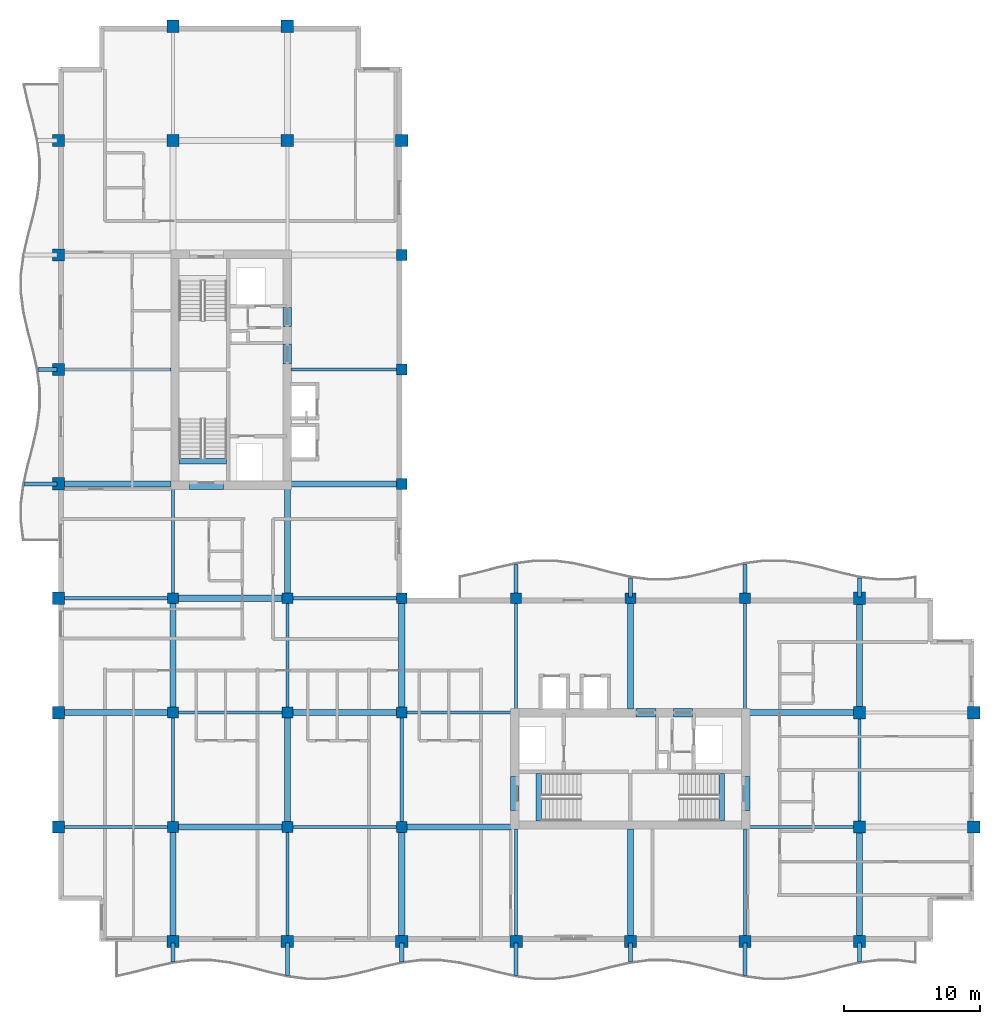
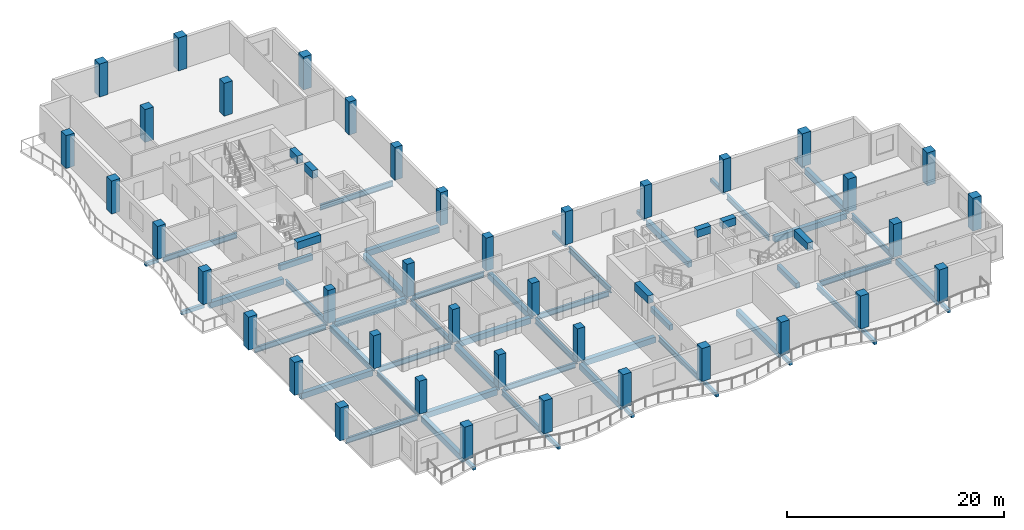
# One storey, part 1 of 12: 60 beams, 39 columns.
"""IFC4 building model written with IfcOpenShell, lengths in metres."""

from ifc_helpers import new_model, si_unit, direction, frame, origin, origin_2d, place, context, subcontext, project, spatial, rectangle, i_section, extrude, material, material_profile, profile_set, type_object, element, save


model = new_model("IFC4")

# Units and contexts
model_context = context("Model", 3, precision=1e-05, world=origin(), true_north=direction((0.0, 1.0)))
body_context = subcontext(model_context, "Body", "Model", "MODEL_VIEW")
ifc_project = project(units=[si_unit("LENGTHUNIT", "METRE"), si_unit("AREAUNIT", "SQUARE_METRE"), si_unit("VOLUMEUNIT", "CUBIC_METRE"), si_unit("PLANEANGLEUNIT", "RADIAN"), si_unit("MASSUNIT", "GRAM", prefix="KILO")], contexts=[model_context])

# Site, building, storey
site_placement = place(None, origin())
site = spatial("IfcSite", under=ifc_project, at=site_placement, CompositionType="ELEMENT")
building_placement = place(site_placement, origin())
building = spatial("IfcBuilding", under=site, at=building_placement, Name="Koriwani Terraces Tower", CompositionType="ELEMENT")
storey_placement = place(building_placement, frame((0.0, 0.0, 249.0)))
storey = spatial("IfcBuildingStorey", under=building, at=storey_placement, Name="L61", CompositionType="ELEMENT", Elevation=249.0)

# Columns
ifc_material_1 = material(Name="Concrete C50/60", Category="concrete")
ifc_material_profile_1 = material_profile(ifc_material_1, rectangle(XDim=0.800048828125, YDim=0.800048828125, at=origin_2d()), Name="Concrete C50/60", Category="LoadBearing")
ifc_profile_set_1 = profile_set([ifc_material_profile_1], Name="Concrete C50/60")
column_type_1 = type_object("IfcColumnType", Name="COL_RC_800X800", PredefinedType="COLUMN", material=ifc_profile_set_1)
for number, where, z_axis, x_axis, name in (
    (1, (16.800048828125, 16.800048828125, 0.0), (0.0, 0.0, 1.0), (1.0, 0.0, 0.0), "L61 Column 3/C"),
    (2, (16.800048828125, 25.199951171875, 0.0), (0.0, 0.0, 1.0), (1.0, 0.0, 0.0), "L61 Column 3/D"),
    (3, (16.800048828125, 33.60009765625, 0.0), (0.0, 0.0, 1.0), (1.0, 0.0, 0.0), "L61 Column 3/E"),
    (4, (25.199951171875, 16.800048828125, 0.0), (0.0, 0.0, 1.0), (1.0, 0.0, 0.0), "L61 Column 4/C"),
    (5, (25.199951171875, 25.199951171875, 0.0), (0.0, 0.0, 1.0), (1.0, 0.0, 0.0), "L61 Column 4/D"),
    (6, (25.199951171875, 33.60009765625, 0.0), (0.0, 0.0, 1.0), (1.0, 0.0, 0.0), "L61 Column 4/E"),
    (7, (33.60009765625, 16.800048828125, 0.0), (0.0, 0.0, 1.0), (1.0, 0.0, 0.0), "L61 Column 5/C"),
    (8, (33.60009765625, 25.199951171875, 0.0), (0.0, 0.0, 1.0), (1.0, 0.0, 0.0), "L61 Column 5/D"),
    (9, (33.60009765625, 33.60009765625, 0.0), (0.0, 0.0, 1.0), (1.0, 0.0, 0.0), "L61 Column 5/E"),
    (10, (33.60009765625, 42.0, 0.0), (0.0, 0.0, 1.0), (1.0, 0.0, 0.0), "L61 Column 5/F"),
    (11, (33.60009765625, 50.39990234375, 0.0), (0.0, 0.0, 1.0), (1.0, 0.0, 0.0), "L61 Column 5/G"),
    (12, (33.60009765625, 58.800048828125, 0.0), (0.0, 0.0, 1.0), (1.0, 0.0, 0.0), "L61 Column 5/H"),
    (13, (42.0, 33.60009765625, 0.0), (0.0, 0.0, 1.0), (1.0, 0.0, 0.0), "L61 Column 6/E"),
    (14, (50.39990234375, 33.60009765625, 0.0), (0.0, 0.0, 1.0), (1.0, 0.0, 0.0), "L61 Column 7/E"),
    (15, (58.800048828125, 33.60009765625, 0.0), (0.0, 0.0, 1.0), (1.0, 0.0, 0.0), "L61 Column 8/E"),
):
    element("IfcColumn", number, at=place(storey_placement, frame(where, z_axis=z_axis, x_axis=x_axis)), inside=storey, type_object=column_type_1, Name=name, PredefinedType="COLUMN", context=body_context, shape_type="SweptSolid", body=[
        extrude(rectangle(XDim=0.800048828125, YDim=0.800048828125, at=origin_2d()), origin(), (0.0, 0.0, 1.0), 3.699951171875),
    ])
ifc_material_profile_2 = material_profile(ifc_material_1, rectangle(XDim=0.89990234375, YDim=0.89990234375, at=origin_2d()), Name="Concrete C50/60", Category="LoadBearing")
ifc_profile_set_2 = profile_set([ifc_material_profile_2], Name="Concrete C50/60")
column_type_2 = type_object("IfcColumnType", Name="COL_RC_900X900", PredefinedType="COLUMN", material=ifc_profile_set_2)
for number, where, z_axis, x_axis, name in (
    (16, (8.39990234375, 16.800048828125, 0.0), (0.0, 0.0, 1.0), (1.0, 0.0, 0.0), "L61 Column 2/C"),
    (17, (8.39990234375, 25.199951171875, 0.0), (0.0, 0.0, 1.0), (1.0, 0.0, 0.0), "L61 Column 2/D"),
    (18, (8.39990234375, 33.60009765625, 0.0), (0.0, 0.0, 1.0), (1.0, 0.0, 0.0), "L61 Column 2/E"),
    (19, (8.39990234375, 42.0, 0.0), (0.0, 0.0, 1.0), (1.0, 0.0, 0.0), "L61 Column 2/F"),
    (20, (8.39990234375, 50.39990234375, 0.0), (0.0, 0.0, 1.0), (1.0, 0.0, 0.0), "L61 Column 2/G"),
    (21, (8.39990234375, 58.800048828125, 0.0), (0.0, 0.0, 1.0), (1.0, 0.0, 0.0), "L61 Column 2/H"),
    (22, (8.39990234375, 67.199951171875, 0.0), (0.0, 0.0, 1.0), (1.0, 0.0, 0.0), "L61 Column 2/I"),
    (23, (16.800048828125, 8.39990234375, 0.0), (0.0, 0.0, 1.0), (1.0, 0.0, 0.0), "L61 Column 3/B"),
    (24, (16.800048828125, 67.199951171875, 0.0), (0.0, 0.0, 1.0), (1.0, 0.0, 0.0), "L61 Column 3/I"),
    (25, (16.800048828125, 75.60009765625, 0.0), (0.0, 0.0, 1.0), (1.0, 0.0, 0.0), "L61 Column 3/J"),
    (26, (25.199951171875, 8.39990234375, 0.0), (0.0, 0.0, 1.0), (1.0, 0.0, 0.0), "L61 Column 4/B"),
    (27, (25.199951171875, 67.199951171875, 0.0), (0.0, 0.0, 1.0), (1.0, 0.0, 0.0), "L61 Column 4/I"),
    (28, (25.199951171875, 75.60009765625, 0.0), (0.0, 0.0, 1.0), (1.0, 0.0, 0.0), "L61 Column 4/J"),
    (29, (33.60009765625, 8.39990234375, 0.0), (0.0, 0.0, 1.0), (1.0, 0.0, 0.0), "L61 Column 5/B"),
    (30, (33.60009765625, 67.199951171875, 0.0), (0.0, 0.0, 1.0), (1.0, 0.0, 0.0), "L61 Column 5/I"),
    (31, (42.0, 8.39990234375, 0.0), (0.0, 0.0, 1.0), (1.0, 0.0, 0.0), "L61 Column 6/B"),
    (32, (50.39990234375, 8.39990234375, 0.0), (0.0, 0.0, 1.0), (1.0, 0.0, 0.0), "L61 Column 7/B"),
    (33, (58.800048828125, 8.39990234375, 0.0), (0.0, 0.0, 1.0), (1.0, 0.0, 0.0), "L61 Column 8/B"),
    (34, (67.199951171875, 8.39990234375, 0.0), (0.0, 0.0, 1.0), (1.0, 0.0, 0.0), "L61 Column 9/B"),
    (35, (67.199951171875, 16.800048828125, 0.0), (0.0, 0.0, 1.0), (1.0, 0.0, 0.0), "L61 Column 9/C"),
    (36, (67.199951171875, 25.199951171875, 0.0), (0.0, 0.0, 1.0), (1.0, 0.0, 0.0), "L61 Column 9/D"),
    (37, (67.199951171875, 33.60009765625, 0.0), (0.0, 0.0, 1.0), (1.0, 0.0, 0.0), "L61 Column 9/E"),
    (38, (75.60009765625, 16.800048828125, 0.0), (0.0, 0.0, 1.0), (1.0, 0.0, 0.0), "L61 Column 10/C"),
    (39, (75.60009765625, 25.199951171875, 0.0), (0.0, 0.0, 1.0), (1.0, 0.0, 0.0), "L61 Column 10/D"),
):
    element("IfcColumn", number, at=place(storey_placement, frame(where, z_axis=z_axis, x_axis=x_axis)), inside=storey, type_object=column_type_2, Name=name, PredefinedType="COLUMN", context=body_context, shape_type="SweptSolid", body=[
        extrude(rectangle(XDim=0.89990234375, YDim=0.89990234375, at=origin_2d()), origin(), (0.0, 0.0, 1.0), 3.699951171875),
    ])

# Beams
ifc_material_2 = material(Name="Concrete C40/50", Category="concrete")
ifc_material_profile_3 = material_profile(ifc_material_2, rectangle(XDim=0.300048828125, YDim=0.39990234375, at=origin_2d()), Name="Concrete C40/50", Category="LoadBearing")
ifc_profile_set_3 = profile_set([ifc_material_profile_3], Name="Concrete C40/50")
beam_type_1 = type_object("IfcBeamType", Name="BEAM_RC_BALCONY_RIB_300X400", PredefinedType="JOIST", material=ifc_profile_set_3)
beam_1_placement = place(storey_placement, frame((16.800048828125, 6.912109375, -0.429931640625), z_axis=(0.0, 1.0, 0.0), x_axis=(-1.0, 0.0, 0.0)))
element("IfcBeam", 40, at=beam_1_placement, inside=storey, type_object=beam_type_1, Name="L61 Balcony Bracket Rib S-1", PredefinedType="JOIST", context=body_context, shape_type="SweptSolid", body=[
    extrude(rectangle(XDim=0.300048828125, YDim=0.39990234375, at=origin_2d()), origin(), (0.0, 0.0, 1.0), 1.387939453125),
])
beam_2_placement = place(storey_placement, frame((25.199951171875, 5.907958984375, -0.429931640625), z_axis=(0.0, 1.0, 0.0), x_axis=(-1.0, 0.0, 0.0)))
element("IfcBeam", 41, at=beam_2_placement, inside=storey, type_object=beam_type_1, Name="L61 Balcony Bracket Rib S-2", PredefinedType="JOIST", context=body_context, shape_type="SweptSolid", body=[
    extrude(rectangle(XDim=0.300048828125, YDim=0.39990234375, at=origin_2d()), origin(), (0.0, 0.0, 1.0), 2.39208984375),
])
beam_3_placement = place(storey_placement, frame((33.60009765625, 6.912109375, -0.429931640625), z_axis=(0.0, 1.0, 0.0), x_axis=(-1.0, 0.0, 0.0)))
element("IfcBeam", 42, at=beam_3_placement, inside=storey, type_object=beam_type_1, Name="L61 Balcony Bracket Rib S-3", PredefinedType="JOIST", context=body_context, shape_type="SweptSolid", body=[
    extrude(rectangle(XDim=0.300048828125, YDim=0.39990234375, at=origin_2d()), origin(), (0.0, 0.0, 1.0), 1.387939453125),
])
beam_4_placement = place(storey_placement, frame((42.0, 5.907958984375, -0.429931640625), z_axis=(0.0, 1.0, 0.0), x_axis=(-1.0, 0.0, 0.0)))
element("IfcBeam", 43, at=beam_4_placement, inside=storey, type_object=beam_type_1, Name="L61 Balcony Bracket Rib S-4", PredefinedType="JOIST", context=body_context, shape_type="SweptSolid", body=[
    extrude(rectangle(XDim=0.300048828125, YDim=0.39990234375, at=origin_2d()), origin(), (0.0, 0.0, 1.0), 2.39208984375),
])
beam_5_placement = place(storey_placement, frame((50.39990234375, 6.912109375, -0.429931640625), z_axis=(0.0, 1.0, 0.0), x_axis=(-1.0, 0.0, 0.0)))
element("IfcBeam", 44, at=beam_5_placement, inside=storey, type_object=beam_type_1, Name="L61 Balcony Bracket Rib S-5", PredefinedType="JOIST", context=body_context, shape_type="SweptSolid", body=[
    extrude(rectangle(XDim=0.300048828125, YDim=0.39990234375, at=origin_2d()), origin(), (0.0, 0.0, 1.0), 1.387939453125),
])
beam_6_placement = place(storey_placement, frame((58.800048828125, 5.907958984375, -0.429931640625), z_axis=(0.0, 1.0, 0.0), x_axis=(-1.0, 0.0, 0.0)))
element("IfcBeam", 45, at=beam_6_placement, inside=storey, type_object=beam_type_1, Name="L61 Balcony Bracket Rib S-6", PredefinedType="JOIST", context=body_context, shape_type="SweptSolid", body=[
    extrude(rectangle(XDim=0.300048828125, YDim=0.39990234375, at=origin_2d()), origin(), (0.0, 0.0, 1.0), 2.39208984375),
])
beam_7_placement = place(storey_placement, frame((67.199951171875, 6.912109375, -0.429931640625), z_axis=(0.0, 1.0, 0.0), x_axis=(-1.0, 0.0, 0.0)))
element("IfcBeam", 46, at=beam_7_placement, inside=storey, type_object=beam_type_1, Name="L61 Balcony Bracket Rib S-7", PredefinedType="JOIST", context=body_context, shape_type="SweptSolid", body=[
    extrude(rectangle(XDim=0.300048828125, YDim=0.39990234375, at=origin_2d()), origin(), (0.0, 0.0, 1.0), 1.387939453125),
])
beam_8_placement = place(storey_placement, frame((5.907958984375, 42.0, -0.429931640625), z_axis=(1.0, 0.0, 0.0), x_axis=(0.0, 1.0, 0.0)))
element("IfcBeam", 47, at=beam_8_placement, inside=storey, type_object=beam_type_1, Name="L61 Balcony Bracket Rib W-1", PredefinedType="JOIST", context=body_context, shape_type="SweptSolid", body=[
    extrude(rectangle(XDim=0.300048828125, YDim=0.39990234375, at=origin_2d()), origin(), (0.0, 0.0, 1.0), 2.39208984375),
])
beam_9_placement = place(storey_placement, frame((6.912109375, 50.39990234375, -0.429931640625), z_axis=(1.0, 0.0, 0.0), x_axis=(0.0, 1.0, 0.0)))
element("IfcBeam", 48, at=beam_9_placement, inside=storey, type_object=beam_type_1, Name="L61 Balcony Bracket Rib W-2", PredefinedType="JOIST", context=body_context, shape_type="SweptSolid", body=[
    extrude(rectangle(XDim=0.300048828125, YDim=0.39990234375, at=origin_2d()), origin(), (0.0, 0.0, 1.0), 1.387939453125),
])
beam_10_placement = place(storey_placement, frame((42.0, 33.699951171875, -0.429931640625), z_axis=(0.0, 1.0, 0.0), x_axis=(-1.0, 0.0, 0.0)))
element("IfcBeam", 49, at=beam_10_placement, inside=storey, type_object=beam_type_1, Name="L61 Balcony Bracket Rib NE-1", PredefinedType="JOIST", context=body_context, shape_type="SweptSolid", body=[
    extrude(rectangle(XDim=0.300048828125, YDim=0.39990234375, at=origin_2d()), origin(), (0.0, 0.0, 1.0), 2.39208984375),
])
beam_11_placement = place(storey_placement, frame((50.39990234375, 33.699951171875, -0.429931640625), z_axis=(0.0, 1.0, 0.0), x_axis=(-1.0, 0.0, 0.0)))
element("IfcBeam", 50, at=beam_11_placement, inside=storey, type_object=beam_type_1, Name="L61 Balcony Bracket Rib NE-2", PredefinedType="JOIST", context=body_context, shape_type="SweptSolid", body=[
    extrude(rectangle(XDim=0.300048828125, YDim=0.39990234375, at=origin_2d()), origin(), (0.0, 0.0, 1.0), 1.387939453125),
])
beam_12_placement = place(storey_placement, frame((58.800048828125, 33.699951171875, -0.429931640625), z_axis=(0.0, 1.0, 0.0), x_axis=(-1.0, 0.0, 0.0)))
element("IfcBeam", 51, at=beam_12_placement, inside=storey, type_object=beam_type_1, Name="L61 Balcony Bracket Rib NE-3", PredefinedType="JOIST", context=body_context, shape_type="SweptSolid", body=[
    extrude(rectangle(XDim=0.300048828125, YDim=0.39990234375, at=origin_2d()), origin(), (0.0, 0.0, 1.0), 2.39208984375),
])
beam_13_placement = place(storey_placement, frame((67.199951171875, 33.699951171875, -0.429931640625), z_axis=(0.0, 1.0, 0.0), x_axis=(-1.0, 0.0, 0.0)))
element("IfcBeam", 52, at=beam_13_placement, inside=storey, type_object=beam_type_1, Name="L61 Balcony Bracket Rib NE-4", PredefinedType="JOIST", context=body_context, shape_type="SweptSolid", body=[
    extrude(rectangle(XDim=0.300048828125, YDim=0.39990234375, at=origin_2d()), origin(), (0.0, 0.0, 1.0), 1.387939453125),
])
ifc_material_profile_4 = material_profile(ifc_material_1, rectangle(XDim=0.60009765625, YDim=0.85009765625, at=origin_2d()), Name="Concrete C50/60", Category="LoadBearing")
ifc_profile_set_4 = profile_set([ifc_material_profile_4], Name="Concrete C50/60")
beam_type_2 = type_object("IfcBeamType", Name="BEAM_RC_COUPLING_600X850", PredefinedType="LINTEL", material=ifc_profile_set_4)
beam_14_placement = place(storey_placement, frame((25.199951171875, 50.800048828125, 3.044921875), z_axis=(0.0, 1.0, 0.0), x_axis=(-1.0, 0.0, 0.0)))
element("IfcBeam", 53, at=beam_14_placement, inside=storey, type_object=beam_type_2, Name="L61 Core Coupling Lintel Beam WE1", PredefinedType="LINTEL", context=body_context, shape_type="SweptSolid", body=[
    extrude(rectangle(XDim=0.60009765625, YDim=0.85009765625, at=origin_2d()), origin(), (0.0, 0.0, 1.0), 1.47998046875),
])
beam_15_placement = place(storey_placement, frame((25.199951171875, 53.550048828125, 3.044921875), z_axis=(0.0, 1.0, 0.0), x_axis=(-1.0, 0.0, 0.0)))
element("IfcBeam", 54, at=beam_15_placement, inside=storey, type_object=beam_type_2, Name="L61 Core Coupling Lintel Beam WE2", PredefinedType="LINTEL", context=body_context, shape_type="SweptSolid", body=[
    extrude(rectangle(XDim=0.60009765625, YDim=0.85009765625, at=origin_2d()), origin(), (0.0, 0.0, 1.0), 1.39990234375),
])
beam_16_placement = place(storey_placement, frame((18.0, 41.89990234375, 3.044921875), z_axis=(1.0, 0.0, 0.0), x_axis=(0.0, 1.0, 0.0)))
element("IfcBeam", 55, at=beam_16_placement, inside=storey, type_object=beam_type_2, Name="L61 Core Coupling Lintel Beam WS", PredefinedType="LINTEL", context=body_context, shape_type="SweptSolid", body=[
    extrude(rectangle(XDim=0.60009765625, YDim=0.85009765625, at=origin_2d()), origin(), (0.0, 0.0, 1.0), 2.5),
])
beam_17_placement = place(storey_placement, frame((50.800048828125, 25.199951171875, 3.044921875), z_axis=(1.0, 0.0, 0.0), x_axis=(0.0, 1.0, 0.0)))
element("IfcBeam", 56, at=beam_17_placement, inside=storey, type_object=beam_type_2, Name="L61 Core Coupling Lintel Beam EN1", PredefinedType="LINTEL", context=body_context, shape_type="SweptSolid", body=[
    extrude(rectangle(XDim=0.60009765625, YDim=0.85009765625, at=origin_2d()), origin(), (0.0, 0.0, 1.0), 1.47998046875),
])
beam_18_placement = place(storey_placement, frame((53.550048828125, 25.199951171875, 3.044921875), z_axis=(1.0, 0.0, 0.0), x_axis=(0.0, 1.0, 0.0)))
element("IfcBeam", 57, at=beam_18_placement, inside=storey, type_object=beam_type_2, Name="L61 Core Coupling Lintel Beam EN2", PredefinedType="LINTEL", context=body_context, shape_type="SweptSolid", body=[
    extrude(rectangle(XDim=0.60009765625, YDim=0.85009765625, at=origin_2d()), origin(), (0.0, 0.0, 1.0), 1.39990234375),
])
for number, where, z_axis, x_axis, name in (
    (58, (41.89990234375, 18.0, 3.044921875), (0.0, 1.0, 0.0), (-1.0, 0.0, 0.0), "L61 Core Coupling Lintel Beam EW"),
    (59, (58.85009765625, 18.0, 3.044921875), (0.0, 1.0, 0.0), (-1.0, 0.0, 0.0), "L61 Core Coupling Lintel Beam EE"),
):
    element("IfcBeam", number, at=place(storey_placement, frame(where, z_axis=z_axis, x_axis=x_axis)), inside=storey, type_object=beam_type_2, Name=name, PredefinedType="LINTEL", context=body_context, shape_type="SweptSolid", body=[
        extrude(rectangle(XDim=0.60009765625, YDim=0.85009765625, at=origin_2d()), origin(), (0.0, 0.0, 1.0), 2.5),
    ])
ifc_material_profile_5 = material_profile(ifc_material_2, rectangle(XDim=0.39990234375, YDim=0.60009765625, at=origin_2d()), Name="Concrete C40/50", Category="LoadBearing")
ifc_profile_set_5 = profile_set([ifc_material_profile_5], Name="Concrete C40/50")
beam_type_3 = type_object("IfcBeamType", Name="BEAM_RC_GRID_400X600", PredefinedType="BEAM", material=ifc_profile_set_5)
for number, where, z_axis, x_axis, name in (
    (60, (17.25, 43.655029296875, -0.300048828125), (1.0, 0.0, 0.0), (0.0, 1.0, 0.0), "L61 Stairwell Header Trimmer Beam ST-W1"),
    (61, (43.655029296875, 17.25, -0.300048828125), (0.0, 1.0, 0.0), (-1.0, 0.0, 0.0), "L61 Stairwell Header Trimmer Beam ST-E1"),
    (62, (57.094970703125, 17.25, -0.300048828125), (0.0, 1.0, 0.0), (-1.0, 0.0, 0.0), "L61 Stairwell Header Trimmer Beam ST-E2"),
):
    element("IfcBeam", number, at=place(storey_placement, frame(where, z_axis=z_axis, x_axis=x_axis)), inside=storey, type_object=beam_type_3, Name=name, PredefinedType="BEAM", context=body_context, shape_type="SweptSolid", body=[
        extrude(rectangle(XDim=0.39990234375, YDim=0.60009765625, at=origin_2d()), origin(), (0.0, 0.0, 1.0), 3.5),
    ])
ifc_material_profile_6 = material_profile(ifc_material_1, rectangle(XDim=0.449951171875, YDim=0.64990234375, at=origin_2d()), Name="Concrete C50/60", Category="LoadBearing")
ifc_profile_set_6 = profile_set([ifc_material_profile_6], Name="Concrete C50/60")
beam_type_4 = type_object("IfcBeamType", Name="BEAM_RC_GRID_450X650", PredefinedType="BEAM", material=ifc_profile_set_6)
for number, where, z_axis, x_axis, name in (
    (63, (17.179931640625, 16.800048828125, -0.554931640625), (1.0, 0.0, 0.0), (0.0, 1.0, 0.0), "L61 Grid Beam C (16.8-25.2m)"),
    (64, (33.97998046875, 16.800048828125, -0.554931640625), (1.0, 0.0, 0.0), (0.0, 1.0, 0.0), "L61 Grid Beam C (33.6-42.0m)"),
):
    element("IfcBeam", number, at=place(storey_placement, frame(where, z_axis=z_axis, x_axis=x_axis)), inside=storey, type_object=beam_type_4, Name=name, PredefinedType="BEAM", context=body_context, shape_type="SweptSolid", body=[
        extrude(rectangle(XDim=0.449951171875, YDim=0.64990234375, at=origin_2d()), origin(), (0.0, 0.0, 1.0), 7.64013671875),
    ])
beam_19_placement = place(storey_placement, frame((8.830078125, 25.199951171875, -0.554931640625), z_axis=(1.0, 0.0, 0.0), x_axis=(0.0, 1.0, 0.0)))
element("IfcBeam", 65, at=beam_19_placement, inside=storey, type_object=beam_type_4, Name="L61 Grid Beam D (8.4-16.8m)", PredefinedType="BEAM", context=body_context, shape_type="SweptSolid", body=[
    extrude(rectangle(XDim=0.449951171875, YDim=0.64990234375, at=origin_2d()), origin(), (0.0, 0.0, 1.0), 7.58984375),
])
beam_20_placement = place(storey_placement, frame((25.580078125, 25.199951171875, -0.554931640625), z_axis=(1.0, 0.0, 0.0), x_axis=(0.0, 1.0, 0.0)))
element("IfcBeam", 66, at=beam_20_placement, inside=storey, type_object=beam_type_4, Name="L61 Grid Beam D (25.2-33.6m)", PredefinedType="BEAM", context=body_context, shape_type="SweptSolid", body=[
    extrude(rectangle(XDim=0.449951171875, YDim=0.64990234375, at=origin_2d()), origin(), (0.0, 0.0, 1.0), 7.639892578125),
])
for number, where, z_axis, x_axis, name in (
    (67, (59.1298828125, 25.199951171875, -0.554931640625), (1.0, 0.0, 0.0), (0.0, 1.0, 0.0), "L61 Grid Beam D (58.8-67.2m)"),
    (68, (17.179931640625, 33.60009765625, -0.554931640625), (1.0, 0.0, 0.0), (0.0, 1.0, 0.0), "L61 Grid Beam E (16.8-25.2m)"),
):
    element("IfcBeam", number, at=place(storey_placement, frame(where, z_axis=z_axis, x_axis=x_axis)), inside=storey, type_object=beam_type_4, Name=name, PredefinedType="BEAM", context=body_context, shape_type="SweptSolid", body=[
        extrude(rectangle(XDim=0.449951171875, YDim=0.64990234375, at=origin_2d()), origin(), (0.0, 0.0, 1.0), 7.64013671875),
    ])
beam_21_placement = place(storey_placement, frame((8.830078125, 42.0, -0.554931640625), z_axis=(1.0, 0.0, 0.0), x_axis=(0.0, 1.0, 0.0)))
element("IfcBeam", 69, at=beam_21_placement, inside=storey, type_object=beam_type_4, Name="L61 Grid Beam F (8.4-16.8m)", PredefinedType="BEAM", context=body_context, shape_type="SweptSolid", body=[
    extrude(rectangle(XDim=0.449951171875, YDim=0.64990234375, at=origin_2d()), origin(), (0.0, 0.0, 1.0), 7.83984375),
])
beam_22_placement = place(storey_placement, frame((25.47998046875, 42.0, -0.554931640625), z_axis=(1.0, 0.0, 0.0), x_axis=(0.0, 1.0, 0.0)))
element("IfcBeam", 70, at=beam_22_placement, inside=storey, type_object=beam_type_4, Name="L61 Grid Beam F (25.2-33.6m)", PredefinedType="BEAM", context=body_context, shape_type="SweptSolid", body=[
    extrude(rectangle(XDim=0.449951171875, YDim=0.64990234375, at=origin_2d()), origin(), (0.0, 0.0, 1.0), 7.739990234375),
])
beam_23_placement = place(storey_placement, frame((16.800048828125, 8.830078125, -0.554931640625), z_axis=(0.0, 1.0, 0.0), x_axis=(-1.0, 0.0, 0.0)))
element("IfcBeam", 71, at=beam_23_placement, inside=storey, type_object=beam_type_4, Name="L61 Grid Beam 3 (8.4-16.8m)", PredefinedType="BEAM", context=body_context, shape_type="SweptSolid", body=[
    extrude(rectangle(XDim=0.449951171875, YDim=0.64990234375, at=origin_2d()), origin(), (0.0, 0.0, 1.0), 7.58984375),
])
beam_24_placement = place(storey_placement, frame((16.800048828125, 25.580078125, -0.554931640625), z_axis=(0.0, 1.0, 0.0), x_axis=(-1.0, 0.0, 0.0)))
element("IfcBeam", 72, at=beam_24_placement, inside=storey, type_object=beam_type_4, Name="L61 Grid Beam 3 (25.2-33.6m)", PredefinedType="BEAM", context=body_context, shape_type="SweptSolid", body=[
    extrude(rectangle(XDim=0.449951171875, YDim=0.64990234375, at=origin_2d()), origin(), (0.0, 0.0, 1.0), 7.639892578125),
])
for number, where, z_axis, x_axis, name in (
    (73, (25.199951171875, 17.179931640625, -0.554931640625), (0.0, 1.0, 0.0), (-1.0, 0.0, 0.0), "L61 Grid Beam 4 (16.8-25.2m)"),
    (74, (25.199951171875, 33.97998046875, -0.554931640625), (0.0, 1.0, 0.0), (-1.0, 0.0, 0.0), "L61 Grid Beam 4 (33.6-42.0m)"),
):
    element("IfcBeam", number, at=place(storey_placement, frame(where, z_axis=z_axis, x_axis=x_axis)), inside=storey, type_object=beam_type_4, Name=name, PredefinedType="BEAM", context=body_context, shape_type="SweptSolid", body=[
        extrude(rectangle(XDim=0.449951171875, YDim=0.64990234375, at=origin_2d()), origin(), (0.0, 0.0, 1.0), 7.64013671875),
    ])
beam_25_placement = place(storey_placement, frame((33.60009765625, 8.830078125, -0.554931640625), z_axis=(0.0, 1.0, 0.0), x_axis=(-1.0, 0.0, 0.0)))
element("IfcBeam", 75, at=beam_25_placement, inside=storey, type_object=beam_type_4, Name="L61 Grid Beam 5 (8.4-16.8m)", PredefinedType="BEAM", context=body_context, shape_type="SweptSolid", body=[
    extrude(rectangle(XDim=0.449951171875, YDim=0.64990234375, at=origin_2d()), origin(), (0.0, 0.0, 1.0), 7.58984375),
])
beam_26_placement = place(storey_placement, frame((33.60009765625, 25.580078125, -0.554931640625), z_axis=(0.0, 1.0, 0.0), x_axis=(-1.0, 0.0, 0.0)))
element("IfcBeam", 76, at=beam_26_placement, inside=storey, type_object=beam_type_4, Name="L61 Grid Beam 5 (25.2-33.6m)", PredefinedType="BEAM", context=body_context, shape_type="SweptSolid", body=[
    extrude(rectangle(XDim=0.449951171875, YDim=0.64990234375, at=origin_2d()), origin(), (0.0, 0.0, 1.0), 7.639892578125),
])
beam_27_placement = place(storey_placement, frame((50.39990234375, 8.830078125, -0.554931640625), z_axis=(0.0, 1.0, 0.0), x_axis=(-1.0, 0.0, 0.0)))
element("IfcBeam", 77, at=beam_27_placement, inside=storey, type_object=beam_type_4, Name="L61 Grid Beam 7 (8.4-16.8m)", PredefinedType="BEAM", context=body_context, shape_type="SweptSolid", body=[
    extrude(rectangle(XDim=0.449951171875, YDim=0.64990234375, at=origin_2d()), origin(), (0.0, 0.0, 1.0), 7.83984375),
])
beam_28_placement = place(storey_placement, frame((50.39990234375, 25.47998046875, -0.554931640625), z_axis=(0.0, 1.0, 0.0), x_axis=(-1.0, 0.0, 0.0)))
element("IfcBeam", 78, at=beam_28_placement, inside=storey, type_object=beam_type_4, Name="L61 Grid Beam 7 (25.2-33.6m)", PredefinedType="BEAM", context=body_context, shape_type="SweptSolid", body=[
    extrude(rectangle(XDim=0.449951171875, YDim=0.64990234375, at=origin_2d()), origin(), (0.0, 0.0, 1.0), 7.739990234375),
])
for number, where, z_axis, x_axis, name in (
    (79, (67.199951171875, 8.830078125, -0.554931640625), (0.0, 1.0, 0.0), (-1.0, 0.0, 0.0), "L61 Grid Beam 9 (8.4-16.8m)"),
    (80, (67.199951171875, 25.6298828125, -0.554931640625), (0.0, 1.0, 0.0), (-1.0, 0.0, 0.0), "L61 Grid Beam 9 (25.2-33.6m)"),
):
    element("IfcBeam", number, at=place(storey_placement, frame(where, z_axis=z_axis, x_axis=x_axis)), inside=storey, type_object=beam_type_4, Name=name, PredefinedType="BEAM", context=body_context, shape_type="SweptSolid", body=[
        extrude(rectangle(XDim=0.449951171875, YDim=0.64990234375, at=origin_2d()), origin(), (0.0, 0.0, 1.0), 7.5400390625),
    ])
ifc_material_3 = material(Name="Steel ASTM A572 Grade 50", Category="steel")
ifc_material_profile_7 = material_profile(ifc_material_3, i_section(OverallWidth=0.22900390625, OverallDepth=0.611083984375, WebThickness=0.0126953125, FlangeThickness=0.022216796875, at=origin_2d()), Name="Steel ASTM A572 Grade 50", Category="LoadBearing")
ifc_profile_set_7 = profile_set([ifc_material_profile_7], Name="Steel ASTM A572 Grade 50")
beam_type_5 = type_object("IfcBeamType", Name="STEEL_BEAM_W610X155", PredefinedType="BEAM", material=ifc_profile_set_7)
beam_29_placement = place(storey_placement, frame((8.830078125, 16.800048828125, -0.535400390625), z_axis=(1.0, 0.0, 0.0), x_axis=(0.0, 1.0, 0.0)))
element("IfcBeam", 81, at=beam_29_placement, inside=storey, type_object=beam_type_5, Name="L61 Grid Beam C (8.4-16.8m)", PredefinedType="BEAM", context=body_context, shape_type="SweptSolid", body=[
    extrude(i_section(OverallWidth=0.22900390625, OverallDepth=0.611083984375, WebThickness=0.0126953125, FlangeThickness=0.022216796875, at=origin_2d()), origin(), (0.0, 0.0, 1.0), 7.58984375),
])
beam_30_placement = place(storey_placement, frame((25.580078125, 16.800048828125, -0.535400390625), z_axis=(1.0, 0.0, 0.0), x_axis=(0.0, 1.0, 0.0)))
element("IfcBeam", 82, at=beam_30_placement, inside=storey, type_object=beam_type_5, Name="L61 Grid Beam C (25.2-33.6m)", PredefinedType="BEAM", context=body_context, shape_type="SweptSolid", body=[
    extrude(i_section(OverallWidth=0.22900390625, OverallDepth=0.611083984375, WebThickness=0.0126953125, FlangeThickness=0.022216796875, at=origin_2d()), origin(), (0.0, 0.0, 1.0), 7.639892578125),
])
for number, where, z_axis, x_axis, name in (
    (83, (59.1298828125, 16.800048828125, -0.535400390625), (1.0, 0.0, 0.0), (0.0, 1.0, 0.0), "L61 Grid Beam C (58.8-67.2m)"),
    (84, (17.179931640625, 25.199951171875, -0.535400390625), (1.0, 0.0, 0.0), (0.0, 1.0, 0.0), "L61 Grid Beam D (16.8-25.2m)"),
    (85, (33.97998046875, 25.199951171875, -0.535400390625), (1.0, 0.0, 0.0), (0.0, 1.0, 0.0), "L61 Grid Beam D (33.6-42.0m)"),
):
    element("IfcBeam", number, at=place(storey_placement, frame(where, z_axis=z_axis, x_axis=x_axis)), inside=storey, type_object=beam_type_5, Name=name, PredefinedType="BEAM", context=body_context, shape_type="SweptSolid", body=[
        extrude(i_section(OverallWidth=0.22900390625, OverallDepth=0.611083984375, WebThickness=0.0126953125, FlangeThickness=0.022216796875, at=origin_2d()), origin(), (0.0, 0.0, 1.0), 7.64013671875),
    ])
beam_31_placement = place(storey_placement, frame((8.830078125, 33.60009765625, -0.535400390625), z_axis=(1.0, 0.0, 0.0), x_axis=(0.0, 1.0, 0.0)))
element("IfcBeam", 86, at=beam_31_placement, inside=storey, type_object=beam_type_5, Name="L61 Grid Beam E (8.4-16.8m)", PredefinedType="BEAM", context=body_context, shape_type="SweptSolid", body=[
    extrude(i_section(OverallWidth=0.22900390625, OverallDepth=0.611083984375, WebThickness=0.0126953125, FlangeThickness=0.022216796875, at=origin_2d()), origin(), (0.0, 0.0, 1.0), 7.58984375),
])
beam_32_placement = place(storey_placement, frame((25.580078125, 33.60009765625, -0.535400390625), z_axis=(1.0, 0.0, 0.0), x_axis=(0.0, 1.0, 0.0)))
element("IfcBeam", 87, at=beam_32_placement, inside=storey, type_object=beam_type_5, Name="L61 Grid Beam E (25.2-33.6m)", PredefinedType="BEAM", context=body_context, shape_type="SweptSolid", body=[
    extrude(i_section(OverallWidth=0.22900390625, OverallDepth=0.611083984375, WebThickness=0.0126953125, FlangeThickness=0.022216796875, at=origin_2d()), origin(), (0.0, 0.0, 1.0), 7.639892578125),
])
beam_33_placement = place(storey_placement, frame((8.830078125, 50.39990234375, -0.535400390625), z_axis=(1.0, 0.0, 0.0), x_axis=(0.0, 1.0, 0.0)))
element("IfcBeam", 88, at=beam_33_placement, inside=storey, type_object=beam_type_5, Name="L61 Grid Beam G (8.4-16.8m)", PredefinedType="BEAM", context=body_context, shape_type="SweptSolid", body=[
    extrude(i_section(OverallWidth=0.22900390625, OverallDepth=0.611083984375, WebThickness=0.0126953125, FlangeThickness=0.022216796875, at=origin_2d()), origin(), (0.0, 0.0, 1.0), 7.83984375),
])
beam_34_placement = place(storey_placement, frame((25.47998046875, 50.39990234375, -0.535400390625), z_axis=(1.0, 0.0, 0.0), x_axis=(0.0, 1.0, 0.0)))
element("IfcBeam", 89, at=beam_34_placement, inside=storey, type_object=beam_type_5, Name="L61 Grid Beam G (25.2-33.6m)", PredefinedType="BEAM", context=body_context, shape_type="SweptSolid", body=[
    extrude(i_section(OverallWidth=0.22900390625, OverallDepth=0.611083984375, WebThickness=0.0126953125, FlangeThickness=0.022216796875, at=origin_2d()), origin(), (0.0, 0.0, 1.0), 7.739990234375),
])
for number, where, z_axis, x_axis, name in (
    (90, (16.800048828125, 17.179931640625, -0.535400390625), (0.0, 1.0, 0.0), (-1.0, 0.0, 0.0), "L61 Grid Beam 3 (16.8-25.2m)"),
    (91, (16.800048828125, 33.97998046875, -0.535400390625), (0.0, 1.0, 0.0), (-1.0, 0.0, 0.0), "L61 Grid Beam 3 (33.6-42.0m)"),
):
    element("IfcBeam", number, at=place(storey_placement, frame(where, z_axis=z_axis, x_axis=x_axis)), inside=storey, type_object=beam_type_5, Name=name, PredefinedType="BEAM", context=body_context, shape_type="SweptSolid", body=[
        extrude(i_section(OverallWidth=0.22900390625, OverallDepth=0.611083984375, WebThickness=0.0126953125, FlangeThickness=0.022216796875, at=origin_2d()), origin(), (0.0, 0.0, 1.0), 7.64013671875),
    ])
beam_35_placement = place(storey_placement, frame((25.199951171875, 8.830078125, -0.535400390625), z_axis=(0.0, 1.0, 0.0), x_axis=(-1.0, 0.0, 0.0)))
element("IfcBeam", 92, at=beam_35_placement, inside=storey, type_object=beam_type_5, Name="L61 Grid Beam 4 (8.4-16.8m)", PredefinedType="BEAM", context=body_context, shape_type="SweptSolid", body=[
    extrude(i_section(OverallWidth=0.22900390625, OverallDepth=0.611083984375, WebThickness=0.0126953125, FlangeThickness=0.022216796875, at=origin_2d()), origin(), (0.0, 0.0, 1.0), 7.58984375),
])
beam_36_placement = place(storey_placement, frame((25.199951171875, 25.580078125, -0.535400390625), z_axis=(0.0, 1.0, 0.0), x_axis=(-1.0, 0.0, 0.0)))
element("IfcBeam", 93, at=beam_36_placement, inside=storey, type_object=beam_type_5, Name="L61 Grid Beam 4 (25.2-33.6m)", PredefinedType="BEAM", context=body_context, shape_type="SweptSolid", body=[
    extrude(i_section(OverallWidth=0.22900390625, OverallDepth=0.611083984375, WebThickness=0.0126953125, FlangeThickness=0.022216796875, at=origin_2d()), origin(), (0.0, 0.0, 1.0), 7.639892578125),
])
beam_37_placement = place(storey_placement, frame((33.60009765625, 17.179931640625, -0.535400390625), z_axis=(0.0, 1.0, 0.0), x_axis=(-1.0, 0.0, 0.0)))
element("IfcBeam", 94, at=beam_37_placement, inside=storey, type_object=beam_type_5, Name="L61 Grid Beam 5 (16.8-25.2m)", PredefinedType="BEAM", context=body_context, shape_type="SweptSolid", body=[
    extrude(i_section(OverallWidth=0.22900390625, OverallDepth=0.611083984375, WebThickness=0.0126953125, FlangeThickness=0.022216796875, at=origin_2d()), origin(), (0.0, 0.0, 1.0), 7.64013671875),
])
beam_38_placement = place(storey_placement, frame((42.0, 8.830078125, -0.535400390625), z_axis=(0.0, 1.0, 0.0), x_axis=(-1.0, 0.0, 0.0)))
element("IfcBeam", 95, at=beam_38_placement, inside=storey, type_object=beam_type_5, Name="L61 Grid Beam 6 (8.4-16.8m)", PredefinedType="BEAM", context=body_context, shape_type="SweptSolid", body=[
    extrude(i_section(OverallWidth=0.22900390625, OverallDepth=0.611083984375, WebThickness=0.0126953125, FlangeThickness=0.022216796875, at=origin_2d()), origin(), (0.0, 0.0, 1.0), 7.83984375),
])
beam_39_placement = place(storey_placement, frame((42.0, 25.47998046875, -0.535400390625), z_axis=(0.0, 1.0, 0.0), x_axis=(-1.0, 0.0, 0.0)))
element("IfcBeam", 96, at=beam_39_placement, inside=storey, type_object=beam_type_5, Name="L61 Grid Beam 6 (25.2-33.6m)", PredefinedType="BEAM", context=body_context, shape_type="SweptSolid", body=[
    extrude(i_section(OverallWidth=0.22900390625, OverallDepth=0.611083984375, WebThickness=0.0126953125, FlangeThickness=0.022216796875, at=origin_2d()), origin(), (0.0, 0.0, 1.0), 7.739990234375),
])
beam_40_placement = place(storey_placement, frame((58.800048828125, 8.830078125, -0.535400390625), z_axis=(0.0, 1.0, 0.0), x_axis=(-1.0, 0.0, 0.0)))
element("IfcBeam", 97, at=beam_40_placement, inside=storey, type_object=beam_type_5, Name="L61 Grid Beam 8 (8.4-16.8m)", PredefinedType="BEAM", context=body_context, shape_type="SweptSolid", body=[
    extrude(i_section(OverallWidth=0.22900390625, OverallDepth=0.611083984375, WebThickness=0.0126953125, FlangeThickness=0.022216796875, at=origin_2d()), origin(), (0.0, 0.0, 1.0), 7.83984375),
])
beam_41_placement = place(storey_placement, frame((58.800048828125, 25.47998046875, -0.535400390625), z_axis=(0.0, 1.0, 0.0), x_axis=(-1.0, 0.0, 0.0)))
element("IfcBeam", 98, at=beam_41_placement, inside=storey, type_object=beam_type_5, Name="L61 Grid Beam 8 (25.2-33.6m)", PredefinedType="BEAM", context=body_context, shape_type="SweptSolid", body=[
    extrude(i_section(OverallWidth=0.22900390625, OverallDepth=0.611083984375, WebThickness=0.0126953125, FlangeThickness=0.022216796875, at=origin_2d()), origin(), (0.0, 0.0, 1.0), 7.739990234375),
])
beam_42_placement = place(storey_placement, frame((67.199951171875, 17.22998046875, -0.535400390625), z_axis=(0.0, 1.0, 0.0), x_axis=(-1.0, 0.0, 0.0)))
element("IfcBeam", 99, at=beam_42_placement, inside=storey, type_object=beam_type_5, Name="L61 Grid Beam 9 (16.8-25.2m)", PredefinedType="BEAM", context=body_context, shape_type="SweptSolid", body=[
    extrude(i_section(OverallWidth=0.22900390625, OverallDepth=0.611083984375, WebThickness=0.0126953125, FlangeThickness=0.022216796875, at=origin_2d()), origin(), (0.0, 0.0, 1.0), 7.5400390625),
])

save(model, "model.ifc")
